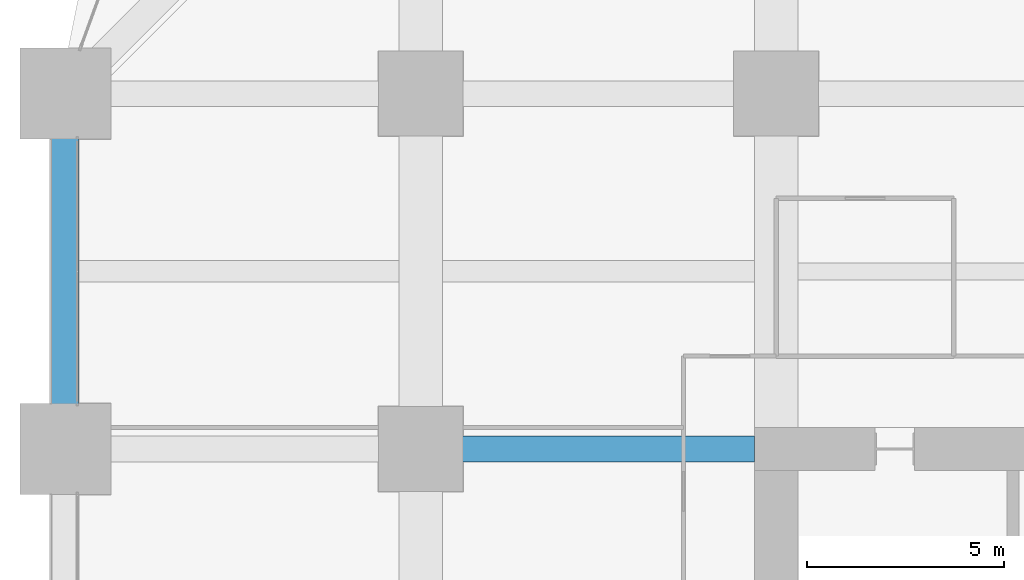
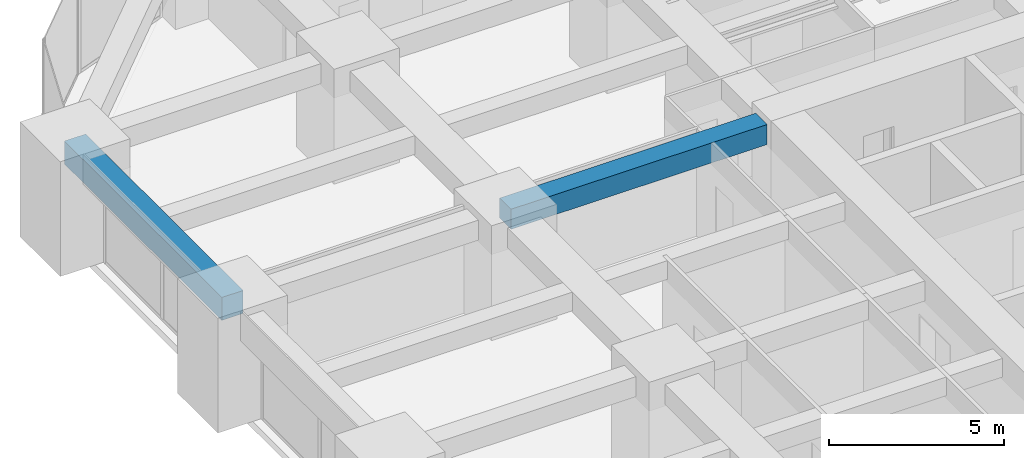
# One storey, part 24 of 44: 2 beams.
"""IFC4 building model written with IfcOpenShell, lengths in metres."""

from ifc_helpers import new_model, si_unit, direction, frame, origin, origin_2d, place, context, subcontext, project, spatial, rectangle, extrude, material, material_profile, profile_set, type_object, element, save


model = new_model("IFC4")

# Units and contexts
model_context = context("Model", 3, precision=1e-05, world=origin(), true_north=direction((0.0, 1.0)))
body_context = subcontext(model_context, "Body", "Model", "MODEL_VIEW")
ifc_project = project(units=[si_unit("LENGTHUNIT", "METRE"), si_unit("AREAUNIT", "SQUARE_METRE"), si_unit("VOLUMEUNIT", "CUBIC_METRE"), si_unit("PLANEANGLEUNIT", "RADIAN"), si_unit("MASSUNIT", "GRAM", prefix="KILO")], contexts=[model_context])

# Site, building, storey
site_placement = place(None, origin())
site = spatial("IfcSite", under=ifc_project, at=site_placement, CompositionType="ELEMENT")
building_placement = place(site_placement, origin())
building = spatial("IfcBuilding", under=site, at=building_placement, Name="Zorevar Civic Tower", CompositionType="ELEMENT")
storey_placement = place(building_placement, frame((0.0, 0.0, 55.800048828125)))
storey = spatial("IfcBuildingStorey", under=building, at=storey_placement, Name="L13", CompositionType="ELEMENT", Elevation=55.800048828125)

# Beams
ifc_material_1 = material(Name="Concrete C50/60", Category="concrete")
ifc_material_profile_1 = material_profile(ifc_material_1, rectangle(XDim=0.64990234375, YDim=0.699951171875, at=origin_2d()), Name="RC 650x700")
ifc_profile_set_1 = profile_set([ifc_material_profile_1], Name="Concrete C50/60")
beam_type_1 = type_object("IfcBeamType", Name="Beam RC 650x700", PredefinedType="BEAM", material=ifc_profile_set_1)
beam_1_placement = place(storey_placement, frame((9.0, 36.0, 3.39990234375), z_axis=(1.0, 0.0, 0.0), x_axis=(0.0, 1.0, 0.0)))
element("IfcBeam", 1, at=beam_1_placement, inside=storey, type_object=beam_type_1, Name="Girder L14", PredefinedType="BEAM", context=body_context, shape_type="SweptSolid", body=[
    extrude(rectangle(XDim=0.64990234375, YDim=0.699951171875, at=origin_2d()), origin(), (0.0, 0.0, 1.0), 8.449951171875),
])
ifc_material_2 = material(Name="Concrete C50/60", Category="concrete")
ifc_material_profile_2 = material_profile(ifc_material_2, rectangle(XDim=0.699951171875, YDim=0.800048828125, at=origin_2d()), Name="RC 700x800")
ifc_profile_set_2 = profile_set([ifc_material_profile_2], Name="Concrete C50/60")
beam_type_2 = type_object("IfcBeamType", Name="Edge beam RC 700x800", PredefinedType="SPANDREL", material=ifc_profile_set_2)
beam_2_placement = place(storey_placement, frame((0.0, 36.0, 3.349853515625), z_axis=(0.0, 1.0, 0.0), x_axis=(-1.0, 0.0, 0.0)))
element("IfcBeam", 2, at=beam_2_placement, inside=storey, type_object=beam_type_2, Name="Edge beam L14", PredefinedType="SPANDREL", context=body_context, shape_type="SweptSolid", body=[
    extrude(rectangle(XDim=0.699951171875, YDim=0.800048828125, at=origin_2d()), origin(), (0.0, 0.0, 1.0), 9.0),
])

save(model, "model.ifc")
